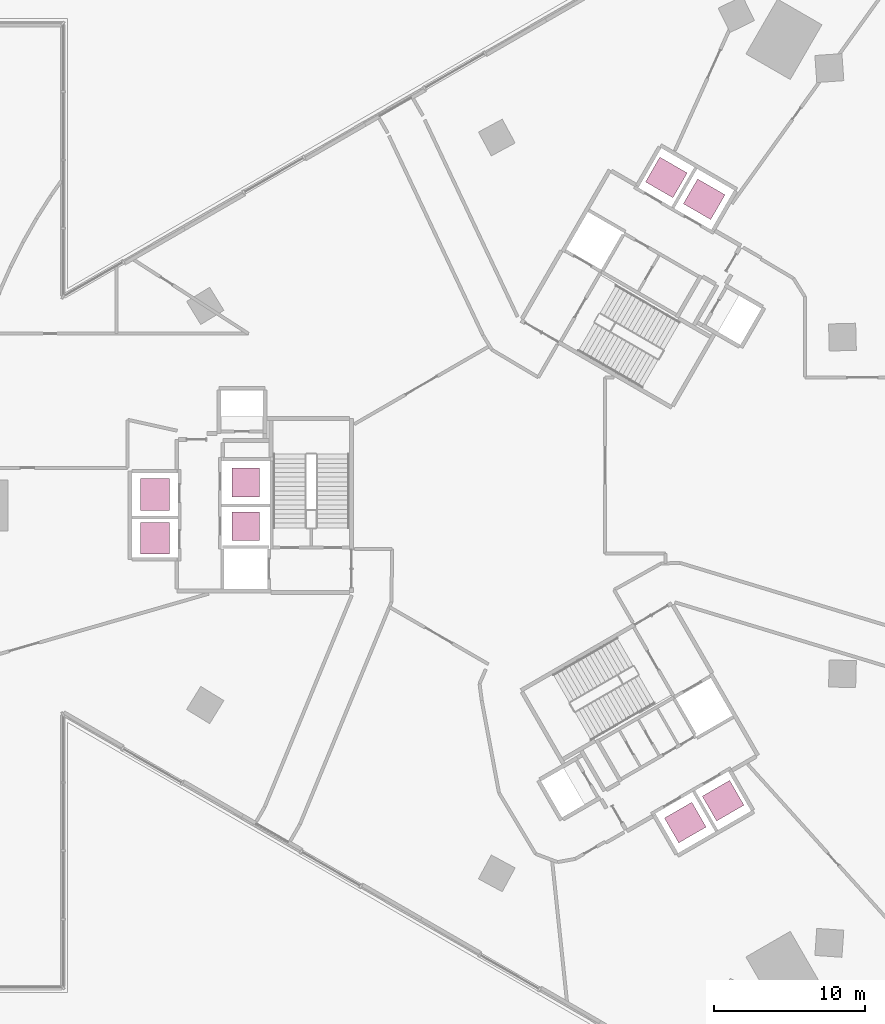
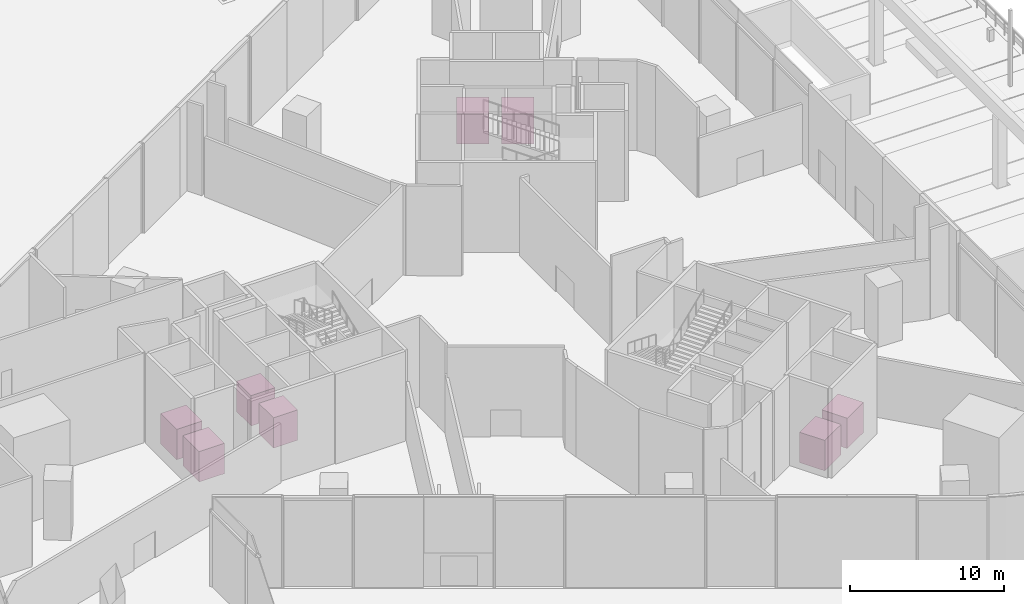
# One storey, part 41 of 41: 8 transport elements.
"""IFC4 building model written with IfcOpenShell, lengths in metres."""

from ifc_helpers import new_model, si_unit, direction, frame, origin, origin_2d, place, context, subcontext, project, spatial, rectangle, extrude, material, type_object, element, save


model = new_model("IFC4")

# Units and contexts
model_context = context("Model", 3, precision=1e-05, world=origin(), true_north=direction((0.0, 1.0)))
body_context = subcontext(model_context, "Body", "Model", "MODEL_VIEW")
ifc_project = project(units=[si_unit("LENGTHUNIT", "METRE"), si_unit("AREAUNIT", "SQUARE_METRE"), si_unit("VOLUMEUNIT", "CUBIC_METRE"), si_unit("PLANEANGLEUNIT", "RADIAN"), si_unit("MASSUNIT", "GRAM", prefix="KILO")], contexts=[model_context])

# Site, building, storey
site_placement = place(None, origin())
site = spatial("IfcSite", under=ifc_project, at=site_placement, CompositionType="ELEMENT")
building_placement = place(site_placement, origin())
building = spatial("IfcBuilding", under=site, at=building_placement, Name="Tamra Quay Hotel Tower", CompositionType="ELEMENT")
storey_placement = place(building_placement, origin())
storey = spatial("IfcBuildingStorey", under=building, at=storey_placement, Name="L00", CompositionType="ELEMENT", Elevation=0.0)

# Transport elements
ifc_material_1 = material(Name="Observation lift OBS 1275 kg")
transport_element_type_1 = type_object("IfcTransportElementType", Name="Observation lift OBS 1275 kg", PredefinedType="ELEVATOR", material=ifc_material_1)
for number, where, z_axis, x_axis, name in (
    (1, (-17.8623046875, 1.52490234375, 0.0), (0.0, 0.0, 1.0), (0.0, -1.0, 0.0), "Lift OB1"),
    (2, (-17.8623046875, -1.379150390625, 0.0), (0.0, 0.0, 1.0), (0.0, -1.0, 0.0), "Lift OB2"),
):
    element("IfcTransportElement", number, at=place(storey_placement, frame(where, z_axis=z_axis, x_axis=x_axis)), inside=storey, type_object=transport_element_type_1, Name=name, PredefinedType="ELEVATOR", context=body_context, shape_type="SweptSolid", body=[
        extrude(rectangle(XDim=1.89990234375, YDim=1.800048828125, at=origin_2d()), origin(), (0.0, 0.0, 1.0), 2.39990234375),
    ])
ifc_material_2 = material(Name="Passenger lift LR 1600 kg")
transport_element_type_2 = type_object("IfcTransportElementType", Name="Passenger lift LR 1600 kg", PredefinedType="ELEVATOR", material=ifc_material_2)
for number, where, z_axis, x_axis, name in (
    (3, (12.571533203125, 20.324462890625, 0.0), (0.0, 0.0, 1.0), (0.866025403784, -0.5, 0.0), "Lift LR1"),
    (4, (10.06005859375, 21.7744140625, 0.0), (0.0, 0.0, 1.0), (0.866025403784, -0.5, 0.0), "Lift LR2"),
    (5, (11.31591796875, -21.04931640625, 0.0), (0.0, 0.0, 1.0), (-0.866025403784, -0.5, 0.0), "Lift LR3"),
    (6, (13.8271484375, -19.599365234375, 0.0), (0.0, 0.0, 1.0), (-0.866025403784, -0.5, 0.0), "Lift LR4"),
):
    element("IfcTransportElement", number, at=place(storey_placement, frame(where, z_axis=z_axis, x_axis=x_axis)), inside=storey, type_object=transport_element_type_2, Name=name, PredefinedType="ELEVATOR", context=body_context, shape_type="SweptSolid", body=[
        extrude(rectangle(XDim=2.10009765625, YDim=1.89990234375, at=origin_2d()), origin(), (0.0, 0.0, 1.0), 2.39990234375),
    ])
ifc_material_3 = material(Name="Shuttle lift SHUTTLE 1600 kg")
transport_element_type_3 = type_object("IfcTransportElementType", Name="Shuttle lift SHUTTLE 1600 kg", PredefinedType="ELEVATOR", material=ifc_material_3)
for number, where, z_axis, x_axis, name in (
    (7, (-23.88720703125, 0.724853515625, 0.0), (0.0, 0.0, 1.0), (0.0, 1.0, 0.0), "Lift SH1"),
    (8, (-23.88720703125, -2.175048828125, 0.0), (0.0, 0.0, 1.0), (0.0, 1.0, 0.0), "Lift SH2"),
):
    element("IfcTransportElement", number, at=place(storey_placement, frame(where, z_axis=z_axis, x_axis=x_axis)), inside=storey, type_object=transport_element_type_3, Name=name, PredefinedType="ELEVATOR", context=body_context, shape_type="SweptSolid", body=[
        extrude(rectangle(XDim=2.10009765625, YDim=1.89990234375, at=origin_2d()), origin(), (0.0, 0.0, 1.0), 2.39990234375),
    ])

save(model, "model.ifc")
